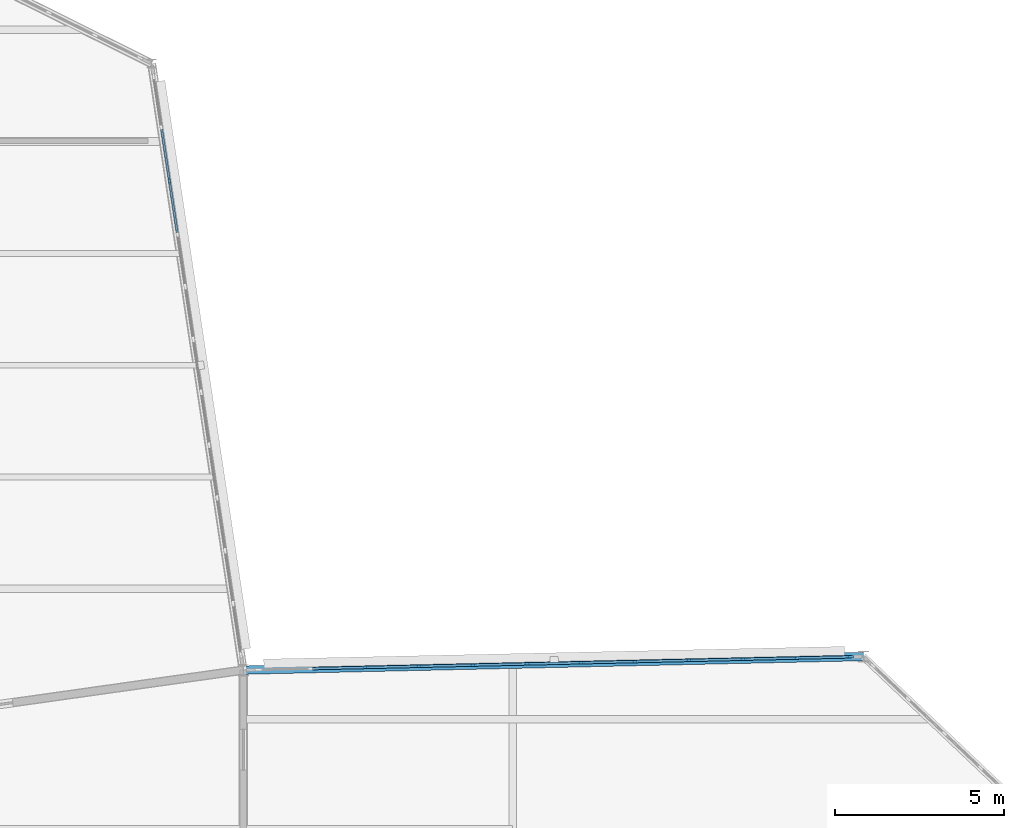
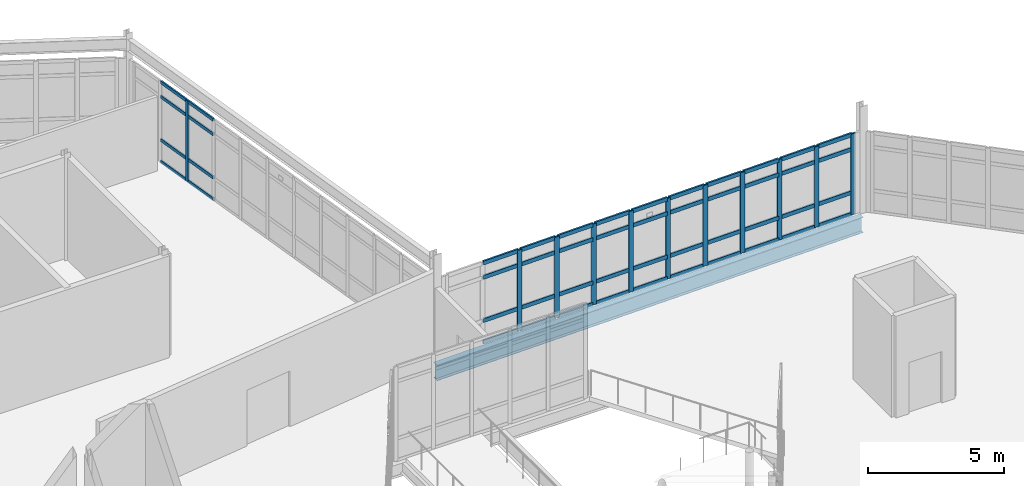
# One storey, part 27 of 76: 59 members, 1 beam, 2 elements without a shape of their own.
"""IFC4 building model written with IfcOpenShell, lengths in metres."""

from ifc_helpers import new_model, si_unit, direction, frame, origin, origin_2d, place, context, subcontext, project, spatial, rectangle, i_section, extrude, material, material_profile, profile_set, type_object, element, aggregate, save


model = new_model("IFC4")

# Units and contexts
model_context = context("Model", 3, precision=1e-05, world=origin(), true_north=direction((0.0, 1.0)))
body_context = subcontext(model_context, "Body", "Model", "MODEL_VIEW")
ifc_project = project(units=[si_unit("LENGTHUNIT", "METRE"), si_unit("AREAUNIT", "SQUARE_METRE"), si_unit("VOLUMEUNIT", "CUBIC_METRE"), si_unit("PLANEANGLEUNIT", "RADIAN"), si_unit("MASSUNIT", "GRAM", prefix="KILO")], contexts=[model_context])

# Site, building, storey
site_placement = place(None, origin())
site = spatial("IfcSite", under=ifc_project, at=site_placement, CompositionType="ELEMENT")
building_placement = place(site_placement, origin())
building = spatial("IfcBuilding", under=site, at=building_placement, Name="Tameran Prism Museum", CompositionType="ELEMENT")
storey_placement = place(building_placement, frame((0.0, 0.0, 15.0)))
storey = spatial("IfcBuildingStorey", under=building, at=storey_placement, Name="L03", CompositionType="ELEMENT", Elevation=15.0)

# Beam
ifc_material_1 = material(Name="Steel Grade 350 (350 MPa)", Category="steel")
ifc_material_profile_1 = material_profile(ifc_material_1, i_section(OverallWidth=0.25, OverallDepth=0.699951171875, WebThickness=0.010009765625, FlangeThickness=0.02001953125, at=origin_2d()))
ifc_profile_set_1 = profile_set([ifc_material_profile_1])
beam_type = type_object("IfcBeamType", Name="BM-SP700", PredefinedType="SPANDREL", material=ifc_profile_set_1)
beam_placement = place(storey_placement, frame((95.800048828125, 48.60009765625, -0.550048828125), z_axis=(-0.999761027559, -0.021860644425, 0.0), x_axis=(0.021860644425, -0.999761027559, 0.0)))
element("IfcBeam", 1, at=beam_placement, inside=storey, type_object=beam_type, Name="Perimeter Spandrel SP-0965", PredefinedType="SPANDREL", context=body_context, shape_type="SweptSolid", body=[
    extrude(i_section(OverallWidth=0.25, OverallDepth=0.699951171875, WebThickness=0.010009765625, FlangeThickness=0.02001953125, at=origin_2d()), origin(), (0.0, 0.0, 1.0), 18.304443359375),
])

# Curtain wall, member
ifc_material_2 = material(Name="Anodised Aluminium 6063-T6 and Cyclone Solar Glass", Category="aluminium")
curtain_wall_type_1 = type_object("IfcCurtainWallType", Name="CW-FAC-1734x362", PredefinedType="USERDEFINED", material=ifc_material_2)
curtain_wall_1_placement = place(storey_placement, origin())
curtain_wall_1 = element("IfcCurtainWall", 2, at=curtain_wall_1_placement, inside=storey, type_object=curtain_wall_type_1, Name="Unitised Curtain Wall CW-143", ObjectType="UNITISED CURTAIN WALL", PredefinedType="USERDEFINED")
ifc_material_3 = material(Name="Anodised Aluminium Alloy 6063-T6", Category="aluminium")
ifc_material_profile_2 = material_profile(ifc_material_3, rectangle(XDim=0.06494140625, YDim=0.159912109375, at=origin_2d()))
ifc_profile_set_2 = profile_set([ifc_material_profile_2])
member_type_1 = type_object("IfcMemberType", Name="CW-MUL-A", PredefinedType="MULLION", material=ifc_profile_set_2)
member_1_placement = place(storey_placement, frame((75.322265625, 62.635986328125, 0.0), z_axis=(0.0, 0.0, 1.0), x_axis=(0.988812088052, 0.149166532852, 0.0)))
member_1 = element("IfcMember", 3, at=member_1_placement, type_object=member_type_1, Name="CW-143 mullion 3", PredefinedType="MULLION", context=body_context, shape_type="SweptSolid", body=[
    extrude(rectangle(XDim=0.06494140625, YDim=0.159912109375, at=origin_2d()), origin(), (0.0, 0.0, 1.0), 3.6201171875),
])

# Curtain wall, members
ifc_material_4 = material(Name="Anodised Aluminium 6063-T6 and Cyclone Solar Glass", Category="aluminium")
curtain_wall_type_2 = type_object("IfcCurtainWallType", Name="CW-FAC-1754x362", PredefinedType="USERDEFINED", material=ifc_material_4)
curtain_wall_2_placement = place(storey_placement, origin())
curtain_wall_2 = element("IfcCurtainWall", 4, at=curtain_wall_2_placement, inside=storey, type_object=curtain_wall_type_2, Name="Unitised Curtain Wall CW-141", ObjectType="UNITISED CURTAIN WALL", PredefinedType="USERDEFINED")
ifc_material_5 = material(Name="Anodised Aluminium Alloy 6063-T6", Category="aluminium")
ifc_material_profile_3 = material_profile(ifc_material_5, rectangle(XDim=0.074951171875, YDim=0.199951171875, at=origin_2d()))
ifc_profile_set_3 = profile_set([ifc_material_profile_3])
member_type_2 = type_object("IfcMemberType", Name="CW-MUL-C", PredefinedType="MULLION", material=ifc_profile_set_3)
member_2_placement = place(storey_placement, frame((81.09912109375, 48.278564453125, 0.0), z_axis=(0.0, 0.0, 1.0), x_axis=(-0.021830600058, 0.999761684053, 0.0)))
member_2 = element("IfcMember", 5, at=member_2_placement, type_object=member_type_2, Name="CW-141 mullion 3", PredefinedType="MULLION", context=body_context, shape_type="SweptSolid", body=[
    extrude(rectangle(XDim=0.074951171875, YDim=0.199951171875, at=origin_2d()), origin(), (0.0, 0.0, 1.0), 3.6201171875),
])
member_3_placement = place(storey_placement, frame((82.693603515625, 48.3134765625, 0.0), z_axis=(0.0, 0.0, 1.0), x_axis=(-0.021830600058, 0.999761684053, 0.0)))
member_3 = element("IfcMember", 6, at=member_3_placement, type_object=member_type_2, Name="CW-141 mullion 4", PredefinedType="MULLION", context=body_context, shape_type="SweptSolid", body=[
    extrude(rectangle(XDim=0.074951171875, YDim=0.199951171875, at=origin_2d()), origin(), (0.0, 0.0, 1.0), 3.6201171875),
])
member_4_placement = place(storey_placement, frame((84.2880859375, 48.348388671875, 0.0), z_axis=(0.0, 0.0, 1.0), x_axis=(-0.021830600058, 0.999761684053, 0.0)))
member_4 = element("IfcMember", 7, at=member_4_placement, type_object=member_type_2, Name="CW-141 mullion 5", PredefinedType="MULLION", context=body_context, shape_type="SweptSolid", body=[
    extrude(rectangle(XDim=0.074951171875, YDim=0.199951171875, at=origin_2d()), origin(), (0.0, 0.0, 1.0), 3.6201171875),
])
member_5_placement = place(storey_placement, frame((85.8828125, 48.383056640625, 0.0), z_axis=(0.0, 0.0, 1.0), x_axis=(-0.021830600058, 0.999761684053, 0.0)))
member_5 = element("IfcMember", 8, at=member_5_placement, type_object=member_type_2, Name="CW-141 mullion 6", PredefinedType="MULLION", context=body_context, shape_type="SweptSolid", body=[
    extrude(rectangle(XDim=0.074951171875, YDim=0.199951171875, at=origin_2d()), origin(), (0.0, 0.0, 1.0), 3.6201171875),
])
member_6_placement = place(storey_placement, frame((87.477294921875, 48.41796875, 0.0), z_axis=(0.0, 0.0, 1.0), x_axis=(-0.021830600058, 0.999761684053, 0.0)))
member_6 = element("IfcMember", 9, at=member_6_placement, type_object=member_type_2, Name="CW-141 mullion 7", PredefinedType="MULLION", context=body_context, shape_type="SweptSolid", body=[
    extrude(rectangle(XDim=0.074951171875, YDim=0.199951171875, at=origin_2d()), origin(), (0.0, 0.0, 1.0), 3.6201171875),
])
member_7_placement = place(storey_placement, frame((89.07177734375, 48.45263671875, 0.0), z_axis=(0.0, 0.0, 1.0), x_axis=(-0.021830600058, 0.999761684053, 0.0)))
member_7 = element("IfcMember", 10, at=member_7_placement, type_object=member_type_2, Name="CW-141 mullion 8", PredefinedType="MULLION", context=body_context, shape_type="SweptSolid", body=[
    extrude(rectangle(XDim=0.074951171875, YDim=0.199951171875, at=origin_2d()), origin(), (0.0, 0.0, 1.0), 3.6201171875),
])
member_8_placement = place(storey_placement, frame((90.666259765625, 48.487548828125, 0.0), z_axis=(0.0, 0.0, 1.0), x_axis=(-0.021830600058, 0.999761684053, 0.0)))
member_8 = element("IfcMember", 11, at=member_8_placement, type_object=member_type_2, Name="CW-141 mullion 9", PredefinedType="MULLION", context=body_context, shape_type="SweptSolid", body=[
    extrude(rectangle(XDim=0.074951171875, YDim=0.199951171875, at=origin_2d()), origin(), (0.0, 0.0, 1.0), 3.6201171875),
])
member_9_placement = place(storey_placement, frame((92.260986328125, 48.5224609375, 0.0), z_axis=(0.0, 0.0, 1.0), x_axis=(-0.021830600058, 0.999761684053, 0.0)))
member_9 = element("IfcMember", 12, at=member_9_placement, type_object=member_type_2, Name="CW-141 mullion 10", PredefinedType="MULLION", context=body_context, shape_type="SweptSolid", body=[
    extrude(rectangle(XDim=0.074951171875, YDim=0.199951171875, at=origin_2d()), origin(), (0.0, 0.0, 1.0), 3.6201171875),
])
member_10_placement = place(storey_placement, frame((93.85546875, 48.55712890625, 0.0), z_axis=(0.0, 0.0, 1.0), x_axis=(-0.021830600058, 0.999761684053, 0.0)))
member_10 = element("IfcMember", 13, at=member_10_placement, type_object=member_type_2, Name="CW-141 mullion 11", PredefinedType="MULLION", context=body_context, shape_type="SweptSolid", body=[
    extrude(rectangle(XDim=0.074951171875, YDim=0.199951171875, at=origin_2d()), origin(), (0.0, 0.0, 1.0), 3.6201171875),
])
member_11_placement = place(storey_placement, frame((95.41259765625, 48.591064453125, 0.0), z_axis=(0.0, 0.0, 1.0), x_axis=(-0.021830600058, 0.999761684053, 0.0)))
member_11 = element("IfcMember", 14, at=member_11_placement, type_object=member_type_2, Name="CW-141 mullion 12", PredefinedType="MULLION", context=body_context, shape_type="SweptSolid", body=[
    extrude(rectangle(XDim=0.074951171875, YDim=0.199951171875, at=origin_2d()), origin(), (0.0, 0.0, 1.0), 3.6201171875),
])

# Member
ifc_material_6 = material(Name="Anodised Aluminium Alloy 6063-T6", Category="aluminium")
ifc_material_profile_4 = material_profile(ifc_material_6, rectangle(XDim=0.06494140625, YDim=0.139892578125, at=origin_2d()))
ifc_profile_set_4 = profile_set([ifc_material_profile_4])
member_type_3 = type_object("IfcMemberType", Name="CW-TRN-A", PredefinedType="USERDEFINED", material=ifc_profile_set_4)
member_12_placement = place(storey_placement, frame((75.092041015625, 64.162841796875, 0.032470703125), z_axis=(0.14924077398, -0.988800885609, 0.0), x_axis=(0.988800885609, 0.14924077398, 0.0)))
member_12 = element("IfcMember", 15, at=member_12_placement, type_object=member_type_3, Name="CW-143 transom 2.1", ObjectType="TRANSOM", PredefinedType="USERDEFINED", context=body_context, shape_type="SweptSolid", body=[
    extrude(rectangle(XDim=0.06494140625, YDim=0.139892578125, at=origin_2d()), origin(), (0.0, 0.0, 1.0), 1.511474609375),
])

member_13_placement = place(storey_placement, frame((75.092041015625, 64.162841796875, 1.0), z_axis=(0.14924077398, -0.988800885609, 0.0), x_axis=(0.988800885609, 0.14924077398, 0.0)))
member_13 = element("IfcMember", 16, at=member_13_placement, type_object=member_type_3, Name="CW-143 transom 2.2", ObjectType="TRANSOM", PredefinedType="USERDEFINED", context=body_context, shape_type="SweptSolid", body=[
    extrude(rectangle(XDim=0.06494140625, YDim=0.139892578125, at=origin_2d()), origin(), (0.0, 0.0, 1.0), 1.511474609375),
])

member_14_placement = place(storey_placement, frame((75.092041015625, 64.162841796875, 2.93994140625), z_axis=(0.14924077398, -0.988800885609, 0.0), x_axis=(0.988800885609, 0.14924077398, 0.0)))
member_14 = element("IfcMember", 17, at=member_14_placement, type_object=member_type_3, Name="CW-143 transom 2.3", ObjectType="TRANSOM", PredefinedType="USERDEFINED", context=body_context, shape_type="SweptSolid", body=[
    extrude(rectangle(XDim=0.06494140625, YDim=0.139892578125, at=origin_2d()), origin(), (0.0, 0.0, 1.0), 1.511474609375),
])

member_15_placement = place(storey_placement, frame((75.092041015625, 64.162841796875, 3.58740234375), z_axis=(0.14924077398, -0.988800885609, 0.0), x_axis=(0.988800885609, 0.14924077398, 0.0)))
member_15 = element("IfcMember", 18, at=member_15_placement, type_object=member_type_3, Name="CW-143 transom 2.4", ObjectType="TRANSOM", PredefinedType="USERDEFINED", context=body_context, shape_type="SweptSolid", body=[
    extrude(rectangle(XDim=0.06494140625, YDim=0.139892578125, at=origin_2d()), origin(), (0.0, 0.0, 1.0), 1.511474609375),
])

member_16_placement = place(storey_placement, frame((75.3271484375, 62.603759765625, 0.032470703125), z_axis=(0.14924077398, -0.988800885609, 0.0), x_axis=(0.988800885609, 0.14924077398, 0.0)))
member_16 = element("IfcMember", 19, at=member_16_placement, type_object=member_type_3, Name="CW-143 transom 3.1", ObjectType="TRANSOM", PredefinedType="USERDEFINED", context=body_context, shape_type="SweptSolid", body=[
    extrude(rectangle(XDim=0.06494140625, YDim=0.139892578125, at=origin_2d()), origin(), (0.0, 0.0, 1.0), 1.511474609375),
])

member_17_placement = place(storey_placement, frame((75.3271484375, 62.603759765625, 1.0), z_axis=(0.14924077398, -0.988800885609, 0.0), x_axis=(0.988800885609, 0.14924077398, 0.0)))
member_17 = element("IfcMember", 20, at=member_17_placement, type_object=member_type_3, Name="CW-143 transom 3.2", ObjectType="TRANSOM", PredefinedType="USERDEFINED", context=body_context, shape_type="SweptSolid", body=[
    extrude(rectangle(XDim=0.06494140625, YDim=0.139892578125, at=origin_2d()), origin(), (0.0, 0.0, 1.0), 1.511474609375),
])

member_18_placement = place(storey_placement, frame((75.3271484375, 62.603759765625, 2.93994140625), z_axis=(0.14924077398, -0.988800885609, 0.0), x_axis=(0.988800885609, 0.14924077398, 0.0)))
member_18 = element("IfcMember", 21, at=member_18_placement, type_object=member_type_3, Name="CW-143 transom 3.3", ObjectType="TRANSOM", PredefinedType="USERDEFINED", context=body_context, shape_type="SweptSolid", body=[
    extrude(rectangle(XDim=0.06494140625, YDim=0.139892578125, at=origin_2d()), origin(), (0.0, 0.0, 1.0), 1.511474609375),
])

member_19_placement = place(storey_placement, frame((75.3271484375, 62.603759765625, 3.58740234375), z_axis=(0.14924077398, -0.988800885609, 0.0), x_axis=(0.988800885609, 0.14924077398, 0.0)))
member_19 = element("IfcMember", 22, at=member_19_placement, type_object=member_type_3, Name="CW-143 transom 3.4", ObjectType="TRANSOM", PredefinedType="USERDEFINED", context=body_context, shape_type="SweptSolid", body=[
    extrude(rectangle(XDim=0.06494140625, YDim=0.139892578125, at=origin_2d()), origin(), (0.0, 0.0, 1.0), 1.511474609375),
])

aggregate(curtain_wall_1, [member_1, member_12, member_13, member_14, member_15, member_16, member_17, member_18, member_19])

ifc_material_7 = material(Name="Anodised Aluminium Alloy 6063-T6", Category="aluminium")
ifc_material_profile_5 = material_profile(ifc_material_7, rectangle(XDim=0.074951171875, YDim=0.175048828125, at=origin_2d()))
ifc_profile_set_5 = profile_set([ifc_material_profile_5])
member_type_4 = type_object("IfcMemberType", Name="CW-TRN-C", PredefinedType="USERDEFINED", material=ifc_profile_set_5)
member_20_placement = place(storey_placement, frame((79.5419921875, 48.24462890625, 0.03759765625), z_axis=(0.999761354545, 0.021845685125, 0.0), x_axis=(-0.021845685125, 0.999761354545, 0.0)))
member_20 = element("IfcMember", 23, at=member_20_placement, type_object=member_type_4, Name="CW-141 transom 2.1", ObjectType="TRANSOM", PredefinedType="USERDEFINED", context=body_context, shape_type="SweptSolid", body=[
    extrude(rectangle(XDim=0.074951171875, YDim=0.175048828125, at=origin_2d()), origin(), (0.0, 0.0, 1.0), 1.519775390625),
])

member_21_placement = place(storey_placement, frame((79.5419921875, 48.24462890625, 1.0), z_axis=(0.999761354545, 0.021845685125, 0.0), x_axis=(-0.021845685125, 0.999761354545, 0.0)))
member_21 = element("IfcMember", 24, at=member_21_placement, type_object=member_type_4, Name="CW-141 transom 2.2", ObjectType="TRANSOM", PredefinedType="USERDEFINED", context=body_context, shape_type="SweptSolid", body=[
    extrude(rectangle(XDim=0.074951171875, YDim=0.175048828125, at=origin_2d()), origin(), (0.0, 0.0, 1.0), 1.519775390625),
])

member_22_placement = place(storey_placement, frame((79.5419921875, 48.24462890625, 2.93994140625), z_axis=(0.999761354545, 0.021845685125, 0.0), x_axis=(-0.021845685125, 0.999761354545, 0.0)))
member_22 = element("IfcMember", 25, at=member_22_placement, type_object=member_type_4, Name="CW-141 transom 2.3", ObjectType="TRANSOM", PredefinedType="USERDEFINED", context=body_context, shape_type="SweptSolid", body=[
    extrude(rectangle(XDim=0.074951171875, YDim=0.175048828125, at=origin_2d()), origin(), (0.0, 0.0, 1.0), 1.519775390625),
])

member_23_placement = place(storey_placement, frame((79.5419921875, 48.24462890625, 3.58251953125), z_axis=(0.999761354545, 0.021845685125, 0.0), x_axis=(-0.021845685125, 0.999761354545, 0.0)))
member_23 = element("IfcMember", 26, at=member_23_placement, type_object=member_type_4, Name="CW-141 transom 2.4", ObjectType="TRANSOM", PredefinedType="USERDEFINED", context=body_context, shape_type="SweptSolid", body=[
    extrude(rectangle(XDim=0.074951171875, YDim=0.175048828125, at=origin_2d()), origin(), (0.0, 0.0, 1.0), 1.519775390625),
])

member_24_placement = place(storey_placement, frame((81.136474609375, 48.279541015625, 0.03759765625), z_axis=(0.999761431185, 0.021842177452, 0.0), x_axis=(-0.021842177452, 0.999761431185, 0.0)))
member_24 = element("IfcMember", 27, at=member_24_placement, type_object=member_type_4, Name="CW-141 transom 3.1", ObjectType="TRANSOM", PredefinedType="USERDEFINED", context=body_context, shape_type="SweptSolid", body=[
    extrude(rectangle(XDim=0.074951171875, YDim=0.175048828125, at=origin_2d()), origin(), (0.0, 0.0, 1.0), 1.52001953125),
])

member_25_placement = place(storey_placement, frame((81.136474609375, 48.279541015625, 1.0), z_axis=(0.999761431185, 0.021842177452, 0.0), x_axis=(-0.021842177452, 0.999761431185, 0.0)))
member_25 = element("IfcMember", 28, at=member_25_placement, type_object=member_type_4, Name="CW-141 transom 3.2", ObjectType="TRANSOM", PredefinedType="USERDEFINED", context=body_context, shape_type="SweptSolid", body=[
    extrude(rectangle(XDim=0.074951171875, YDim=0.175048828125, at=origin_2d()), origin(), (0.0, 0.0, 1.0), 1.52001953125),
])

member_26_placement = place(storey_placement, frame((81.136474609375, 48.279541015625, 2.93994140625), z_axis=(0.999761431185, 0.021842177452, 0.0), x_axis=(-0.021842177452, 0.999761431185, 0.0)))
member_26 = element("IfcMember", 29, at=member_26_placement, type_object=member_type_4, Name="CW-141 transom 3.3", ObjectType="TRANSOM", PredefinedType="USERDEFINED", context=body_context, shape_type="SweptSolid", body=[
    extrude(rectangle(XDim=0.074951171875, YDim=0.175048828125, at=origin_2d()), origin(), (0.0, 0.0, 1.0), 1.52001953125),
])

member_27_placement = place(storey_placement, frame((81.136474609375, 48.279541015625, 3.58251953125), z_axis=(0.999761431185, 0.021842177452, 0.0), x_axis=(-0.021842177452, 0.999761431185, 0.0)))
member_27 = element("IfcMember", 30, at=member_27_placement, type_object=member_type_4, Name="CW-141 transom 3.4", ObjectType="TRANSOM", PredefinedType="USERDEFINED", context=body_context, shape_type="SweptSolid", body=[
    extrude(rectangle(XDim=0.074951171875, YDim=0.175048828125, at=origin_2d()), origin(), (0.0, 0.0, 1.0), 1.52001953125),
])

member_28_placement = place(storey_placement, frame((82.731201171875, 48.314208984375, 0.03759765625), z_axis=(0.999761354545, 0.021845685125, 0.0), x_axis=(-0.021845685125, 0.999761354545, 0.0)))
member_28 = element("IfcMember", 31, at=member_28_placement, type_object=member_type_4, Name="CW-141 transom 4.1", ObjectType="TRANSOM", PredefinedType="USERDEFINED", context=body_context, shape_type="SweptSolid", body=[
    extrude(rectangle(XDim=0.074951171875, YDim=0.175048828125, at=origin_2d()), origin(), (0.0, 0.0, 1.0), 1.519775390625),
])

member_29_placement = place(storey_placement, frame((82.731201171875, 48.314208984375, 1.0), z_axis=(0.999761354545, 0.021845685125, 0.0), x_axis=(-0.021845685125, 0.999761354545, 0.0)))
member_29 = element("IfcMember", 32, at=member_29_placement, type_object=member_type_4, Name="CW-141 transom 4.2", ObjectType="TRANSOM", PredefinedType="USERDEFINED", context=body_context, shape_type="SweptSolid", body=[
    extrude(rectangle(XDim=0.074951171875, YDim=0.175048828125, at=origin_2d()), origin(), (0.0, 0.0, 1.0), 1.519775390625),
])

member_30_placement = place(storey_placement, frame((82.731201171875, 48.314208984375, 2.93994140625), z_axis=(0.999761354545, 0.021845685125, 0.0), x_axis=(-0.021845685125, 0.999761354545, 0.0)))
member_30 = element("IfcMember", 33, at=member_30_placement, type_object=member_type_4, Name="CW-141 transom 4.3", ObjectType="TRANSOM", PredefinedType="USERDEFINED", context=body_context, shape_type="SweptSolid", body=[
    extrude(rectangle(XDim=0.074951171875, YDim=0.175048828125, at=origin_2d()), origin(), (0.0, 0.0, 1.0), 1.519775390625),
])

member_31_placement = place(storey_placement, frame((82.731201171875, 48.314208984375, 3.58251953125), z_axis=(0.999761354545, 0.021845685125, 0.0), x_axis=(-0.021845685125, 0.999761354545, 0.0)))
member_31 = element("IfcMember", 34, at=member_31_placement, type_object=member_type_4, Name="CW-141 transom 4.4", ObjectType="TRANSOM", PredefinedType="USERDEFINED", context=body_context, shape_type="SweptSolid", body=[
    extrude(rectangle(XDim=0.074951171875, YDim=0.175048828125, at=origin_2d()), origin(), (0.0, 0.0, 1.0), 1.519775390625),
])

member_32_placement = place(storey_placement, frame((84.32568359375, 48.34912109375, 0.03759765625), z_axis=(0.999761354545, 0.021845685125, 0.0), x_axis=(-0.021845685125, 0.999761354545, 0.0)))
member_32 = element("IfcMember", 35, at=member_32_placement, type_object=member_type_4, Name="CW-141 transom 5.1", ObjectType="TRANSOM", PredefinedType="USERDEFINED", context=body_context, shape_type="SweptSolid", body=[
    extrude(rectangle(XDim=0.074951171875, YDim=0.175048828125, at=origin_2d()), origin(), (0.0, 0.0, 1.0), 1.519775390625),
])

member_33_placement = place(storey_placement, frame((84.32568359375, 48.34912109375, 1.0), z_axis=(0.999761354545, 0.021845685125, 0.0), x_axis=(-0.021845685125, 0.999761354545, 0.0)))
member_33 = element("IfcMember", 36, at=member_33_placement, type_object=member_type_4, Name="CW-141 transom 5.2", ObjectType="TRANSOM", PredefinedType="USERDEFINED", context=body_context, shape_type="SweptSolid", body=[
    extrude(rectangle(XDim=0.074951171875, YDim=0.175048828125, at=origin_2d()), origin(), (0.0, 0.0, 1.0), 1.519775390625),
])

member_34_placement = place(storey_placement, frame((84.32568359375, 48.34912109375, 2.93994140625), z_axis=(0.999761354545, 0.021845685125, 0.0), x_axis=(-0.021845685125, 0.999761354545, 0.0)))
member_34 = element("IfcMember", 37, at=member_34_placement, type_object=member_type_4, Name="CW-141 transom 5.3", ObjectType="TRANSOM", PredefinedType="USERDEFINED", context=body_context, shape_type="SweptSolid", body=[
    extrude(rectangle(XDim=0.074951171875, YDim=0.175048828125, at=origin_2d()), origin(), (0.0, 0.0, 1.0), 1.519775390625),
])

member_35_placement = place(storey_placement, frame((84.32568359375, 48.34912109375, 3.58251953125), z_axis=(0.999761354545, 0.021845685125, 0.0), x_axis=(-0.021845685125, 0.999761354545, 0.0)))
member_35 = element("IfcMember", 38, at=member_35_placement, type_object=member_type_4, Name="CW-141 transom 5.4", ObjectType="TRANSOM", PredefinedType="USERDEFINED", context=body_context, shape_type="SweptSolid", body=[
    extrude(rectangle(XDim=0.074951171875, YDim=0.175048828125, at=origin_2d()), origin(), (0.0, 0.0, 1.0), 1.519775390625),
])

member_36_placement = place(storey_placement, frame((85.920166015625, 48.3837890625, 0.03759765625), z_axis=(0.999761354545, 0.021845685125, 0.0), x_axis=(-0.021845685125, 0.999761354545, 0.0)))
member_36 = element("IfcMember", 39, at=member_36_placement, type_object=member_type_4, Name="CW-141 transom 6.1", ObjectType="TRANSOM", PredefinedType="USERDEFINED", context=body_context, shape_type="SweptSolid", body=[
    extrude(rectangle(XDim=0.074951171875, YDim=0.175048828125, at=origin_2d()), origin(), (0.0, 0.0, 1.0), 1.519775390625),
])

member_37_placement = place(storey_placement, frame((85.920166015625, 48.3837890625, 1.0), z_axis=(0.999761354545, 0.021845685125, 0.0), x_axis=(-0.021845685125, 0.999761354545, 0.0)))
member_37 = element("IfcMember", 40, at=member_37_placement, type_object=member_type_4, Name="CW-141 transom 6.2", ObjectType="TRANSOM", PredefinedType="USERDEFINED", context=body_context, shape_type="SweptSolid", body=[
    extrude(rectangle(XDim=0.074951171875, YDim=0.175048828125, at=origin_2d()), origin(), (0.0, 0.0, 1.0), 1.519775390625),
])

member_38_placement = place(storey_placement, frame((85.920166015625, 48.3837890625, 2.93994140625), z_axis=(0.999761354545, 0.021845685125, 0.0), x_axis=(-0.021845685125, 0.999761354545, 0.0)))
member_38 = element("IfcMember", 41, at=member_38_placement, type_object=member_type_4, Name="CW-141 transom 6.3", ObjectType="TRANSOM", PredefinedType="USERDEFINED", context=body_context, shape_type="SweptSolid", body=[
    extrude(rectangle(XDim=0.074951171875, YDim=0.175048828125, at=origin_2d()), origin(), (0.0, 0.0, 1.0), 1.519775390625),
])

member_39_placement = place(storey_placement, frame((85.920166015625, 48.3837890625, 3.58251953125), z_axis=(0.999761354545, 0.021845685125, 0.0), x_axis=(-0.021845685125, 0.999761354545, 0.0)))
member_39 = element("IfcMember", 42, at=member_39_placement, type_object=member_type_4, Name="CW-141 transom 6.4", ObjectType="TRANSOM", PredefinedType="USERDEFINED", context=body_context, shape_type="SweptSolid", body=[
    extrude(rectangle(XDim=0.074951171875, YDim=0.175048828125, at=origin_2d()), origin(), (0.0, 0.0, 1.0), 1.519775390625),
])

member_40_placement = place(storey_placement, frame((87.5146484375, 48.418701171875, 0.03759765625), z_axis=(0.999761431185, 0.021842177452, 0.0), x_axis=(-0.021842177452, 0.999761431185, 0.0)))
member_40 = element("IfcMember", 43, at=member_40_placement, type_object=member_type_4, Name="CW-141 transom 7.1", ObjectType="TRANSOM", PredefinedType="USERDEFINED", context=body_context, shape_type="SweptSolid", body=[
    extrude(rectangle(XDim=0.074951171875, YDim=0.175048828125, at=origin_2d()), origin(), (0.0, 0.0, 1.0), 1.52001953125),
])

member_41_placement = place(storey_placement, frame((87.5146484375, 48.418701171875, 1.0), z_axis=(0.999761431185, 0.021842177452, 0.0), x_axis=(-0.021842177452, 0.999761431185, 0.0)))
member_41 = element("IfcMember", 44, at=member_41_placement, type_object=member_type_4, Name="CW-141 transom 7.2", ObjectType="TRANSOM", PredefinedType="USERDEFINED", context=body_context, shape_type="SweptSolid", body=[
    extrude(rectangle(XDim=0.074951171875, YDim=0.175048828125, at=origin_2d()), origin(), (0.0, 0.0, 1.0), 1.52001953125),
])

member_42_placement = place(storey_placement, frame((87.5146484375, 48.418701171875, 2.93994140625), z_axis=(0.999761431185, 0.021842177452, 0.0), x_axis=(-0.021842177452, 0.999761431185, 0.0)))
member_42 = element("IfcMember", 45, at=member_42_placement, type_object=member_type_4, Name="CW-141 transom 7.3", ObjectType="TRANSOM", PredefinedType="USERDEFINED", context=body_context, shape_type="SweptSolid", body=[
    extrude(rectangle(XDim=0.074951171875, YDim=0.175048828125, at=origin_2d()), origin(), (0.0, 0.0, 1.0), 1.52001953125),
])

member_43_placement = place(storey_placement, frame((87.5146484375, 48.418701171875, 3.58251953125), z_axis=(0.999761431185, 0.021842177452, 0.0), x_axis=(-0.021842177452, 0.999761431185, 0.0)))
member_43 = element("IfcMember", 46, at=member_43_placement, type_object=member_type_4, Name="CW-141 transom 7.4", ObjectType="TRANSOM", PredefinedType="USERDEFINED", context=body_context, shape_type="SweptSolid", body=[
    extrude(rectangle(XDim=0.074951171875, YDim=0.175048828125, at=origin_2d()), origin(), (0.0, 0.0, 1.0), 1.52001953125),
])

member_44_placement = place(storey_placement, frame((89.109375, 48.45361328125, 0.03759765625), z_axis=(0.999761354545, 0.021845685125, 0.0), x_axis=(-0.021845685125, 0.999761354545, 0.0)))
member_44 = element("IfcMember", 47, at=member_44_placement, type_object=member_type_4, Name="CW-141 transom 8.1", ObjectType="TRANSOM", PredefinedType="USERDEFINED", context=body_context, shape_type="SweptSolid", body=[
    extrude(rectangle(XDim=0.074951171875, YDim=0.175048828125, at=origin_2d()), origin(), (0.0, 0.0, 1.0), 1.519775390625),
])

member_45_placement = place(storey_placement, frame((89.109375, 48.45361328125, 1.0), z_axis=(0.999761354545, 0.021845685125, 0.0), x_axis=(-0.021845685125, 0.999761354545, 0.0)))
member_45 = element("IfcMember", 48, at=member_45_placement, type_object=member_type_4, Name="CW-141 transom 8.2", ObjectType="TRANSOM", PredefinedType="USERDEFINED", context=body_context, shape_type="SweptSolid", body=[
    extrude(rectangle(XDim=0.074951171875, YDim=0.175048828125, at=origin_2d()), origin(), (0.0, 0.0, 1.0), 1.519775390625),
])

member_46_placement = place(storey_placement, frame((89.109375, 48.45361328125, 2.93994140625), z_axis=(0.999761354545, 0.021845685125, 0.0), x_axis=(-0.021845685125, 0.999761354545, 0.0)))
member_46 = element("IfcMember", 49, at=member_46_placement, type_object=member_type_4, Name="CW-141 transom 8.3", ObjectType="TRANSOM", PredefinedType="USERDEFINED", context=body_context, shape_type="SweptSolid", body=[
    extrude(rectangle(XDim=0.074951171875, YDim=0.175048828125, at=origin_2d()), origin(), (0.0, 0.0, 1.0), 1.519775390625),
])

member_47_placement = place(storey_placement, frame((89.109375, 48.45361328125, 3.58251953125), z_axis=(0.999761354545, 0.021845685125, 0.0), x_axis=(-0.021845685125, 0.999761354545, 0.0)))
member_47 = element("IfcMember", 50, at=member_47_placement, type_object=member_type_4, Name="CW-141 transom 8.4", ObjectType="TRANSOM", PredefinedType="USERDEFINED", context=body_context, shape_type="SweptSolid", body=[
    extrude(rectangle(XDim=0.074951171875, YDim=0.175048828125, at=origin_2d()), origin(), (0.0, 0.0, 1.0), 1.519775390625),
])

member_48_placement = place(storey_placement, frame((90.703857421875, 48.48828125, 0.03759765625), z_axis=(0.999761354545, 0.021845685125, 0.0), x_axis=(-0.021845685125, 0.999761354545, 0.0)))
member_48 = element("IfcMember", 51, at=member_48_placement, type_object=member_type_4, Name="CW-141 transom 9.1", ObjectType="TRANSOM", PredefinedType="USERDEFINED", context=body_context, shape_type="SweptSolid", body=[
    extrude(rectangle(XDim=0.074951171875, YDim=0.175048828125, at=origin_2d()), origin(), (0.0, 0.0, 1.0), 1.519775390625),
])

member_49_placement = place(storey_placement, frame((90.703857421875, 48.48828125, 1.0), z_axis=(0.999761354545, 0.021845685125, 0.0), x_axis=(-0.021845685125, 0.999761354545, 0.0)))
member_49 = element("IfcMember", 52, at=member_49_placement, type_object=member_type_4, Name="CW-141 transom 9.2", ObjectType="TRANSOM", PredefinedType="USERDEFINED", context=body_context, shape_type="SweptSolid", body=[
    extrude(rectangle(XDim=0.074951171875, YDim=0.175048828125, at=origin_2d()), origin(), (0.0, 0.0, 1.0), 1.519775390625),
])

member_50_placement = place(storey_placement, frame((90.703857421875, 48.48828125, 2.93994140625), z_axis=(0.999761354545, 0.021845685125, 0.0), x_axis=(-0.021845685125, 0.999761354545, 0.0)))
member_50 = element("IfcMember", 53, at=member_50_placement, type_object=member_type_4, Name="CW-141 transom 9.3", ObjectType="TRANSOM", PredefinedType="USERDEFINED", context=body_context, shape_type="SweptSolid", body=[
    extrude(rectangle(XDim=0.074951171875, YDim=0.175048828125, at=origin_2d()), origin(), (0.0, 0.0, 1.0), 1.519775390625),
])

member_51_placement = place(storey_placement, frame((90.703857421875, 48.48828125, 3.58251953125), z_axis=(0.999761354545, 0.021845685125, 0.0), x_axis=(-0.021845685125, 0.999761354545, 0.0)))
member_51 = element("IfcMember", 54, at=member_51_placement, type_object=member_type_4, Name="CW-141 transom 9.4", ObjectType="TRANSOM", PredefinedType="USERDEFINED", context=body_context, shape_type="SweptSolid", body=[
    extrude(rectangle(XDim=0.074951171875, YDim=0.175048828125, at=origin_2d()), origin(), (0.0, 0.0, 1.0), 1.519775390625),
])

member_52_placement = place(storey_placement, frame((92.29833984375, 48.523193359375, 0.03759765625), z_axis=(0.999761354545, 0.021845685125, 0.0), x_axis=(-0.021845685125, 0.999761354545, 0.0)))
member_52 = element("IfcMember", 55, at=member_52_placement, type_object=member_type_4, Name="CW-141 transom 10.1", ObjectType="TRANSOM", PredefinedType="USERDEFINED", context=body_context, shape_type="SweptSolid", body=[
    extrude(rectangle(XDim=0.074951171875, YDim=0.175048828125, at=origin_2d()), origin(), (0.0, 0.0, 1.0), 1.519775390625),
])

member_53_placement = place(storey_placement, frame((92.29833984375, 48.523193359375, 1.0), z_axis=(0.999761354545, 0.021845685125, 0.0), x_axis=(-0.021845685125, 0.999761354545, 0.0)))
member_53 = element("IfcMember", 56, at=member_53_placement, type_object=member_type_4, Name="CW-141 transom 10.2", ObjectType="TRANSOM", PredefinedType="USERDEFINED", context=body_context, shape_type="SweptSolid", body=[
    extrude(rectangle(XDim=0.074951171875, YDim=0.175048828125, at=origin_2d()), origin(), (0.0, 0.0, 1.0), 1.519775390625),
])

member_54_placement = place(storey_placement, frame((92.29833984375, 48.523193359375, 2.93994140625), z_axis=(0.999761354545, 0.021845685125, 0.0), x_axis=(-0.021845685125, 0.999761354545, 0.0)))
member_54 = element("IfcMember", 57, at=member_54_placement, type_object=member_type_4, Name="CW-141 transom 10.3", ObjectType="TRANSOM", PredefinedType="USERDEFINED", context=body_context, shape_type="SweptSolid", body=[
    extrude(rectangle(XDim=0.074951171875, YDim=0.175048828125, at=origin_2d()), origin(), (0.0, 0.0, 1.0), 1.519775390625),
])

member_55_placement = place(storey_placement, frame((92.29833984375, 48.523193359375, 3.58251953125), z_axis=(0.999761354545, 0.021845685125, 0.0), x_axis=(-0.021845685125, 0.999761354545, 0.0)))
member_55 = element("IfcMember", 58, at=member_55_placement, type_object=member_type_4, Name="CW-141 transom 10.4", ObjectType="TRANSOM", PredefinedType="USERDEFINED", context=body_context, shape_type="SweptSolid", body=[
    extrude(rectangle(XDim=0.074951171875, YDim=0.175048828125, at=origin_2d()), origin(), (0.0, 0.0, 1.0), 1.519775390625),
])

member_56_placement = place(storey_placement, frame((93.89306640625, 48.55810546875, 0.03759765625), z_axis=(0.999763633195, 0.021741153144, 0.0), x_axis=(-0.021741153144, 0.999763633195, 0.0)))
member_56 = element("IfcMember", 59, at=member_56_placement, type_object=member_type_4, Name="CW-141 transom 11.1", ObjectType="TRANSOM", PredefinedType="USERDEFINED", context=body_context, shape_type="SweptSolid", body=[
    extrude(rectangle(XDim=0.074951171875, YDim=0.175048828125, at=origin_2d()), origin(), (0.0, 0.0, 1.0), 1.482177734375),
])

member_57_placement = place(storey_placement, frame((93.89306640625, 48.55810546875, 1.0), z_axis=(0.999763633195, 0.021741153144, 0.0), x_axis=(-0.021741153144, 0.999763633195, 0.0)))
member_57 = element("IfcMember", 60, at=member_57_placement, type_object=member_type_4, Name="CW-141 transom 11.2", ObjectType="TRANSOM", PredefinedType="USERDEFINED", context=body_context, shape_type="SweptSolid", body=[
    extrude(rectangle(XDim=0.074951171875, YDim=0.175048828125, at=origin_2d()), origin(), (0.0, 0.0, 1.0), 1.482177734375),
])

member_58_placement = place(storey_placement, frame((93.89306640625, 48.55810546875, 2.93994140625), z_axis=(0.999763633195, 0.021741153144, 0.0), x_axis=(-0.021741153144, 0.999763633195, 0.0)))
member_58 = element("IfcMember", 61, at=member_58_placement, type_object=member_type_4, Name="CW-141 transom 11.3", ObjectType="TRANSOM", PredefinedType="USERDEFINED", context=body_context, shape_type="SweptSolid", body=[
    extrude(rectangle(XDim=0.074951171875, YDim=0.175048828125, at=origin_2d()), origin(), (0.0, 0.0, 1.0), 1.482177734375),
])

member_59_placement = place(storey_placement, frame((93.89306640625, 48.55810546875, 3.58251953125), z_axis=(0.999763633195, 0.021741153144, 0.0), x_axis=(-0.021741153144, 0.999763633195, 0.0)))
member_59 = element("IfcMember", 62, at=member_59_placement, type_object=member_type_4, Name="CW-141 transom 11.4", ObjectType="TRANSOM", PredefinedType="USERDEFINED", context=body_context, shape_type="SweptSolid", body=[
    extrude(rectangle(XDim=0.074951171875, YDim=0.175048828125, at=origin_2d()), origin(), (0.0, 0.0, 1.0), 1.482177734375),
])

aggregate(curtain_wall_2, [member_2, member_3, member_4, member_5, member_6, member_7, member_8, member_9, member_10, member_11, member_20, member_21, member_22, member_23, member_24, member_25, member_26, member_27, member_28, member_29, member_30, member_31, member_32, member_33, member_34, member_35, member_36, member_37, member_38, member_39, member_40, member_41, member_42, member_43, member_44, member_45, member_46, member_47, member_48, member_49, member_50, member_51, member_52, member_53, member_54, member_55, member_56, member_57, member_58, member_59])

save(model, "model.ifc")
